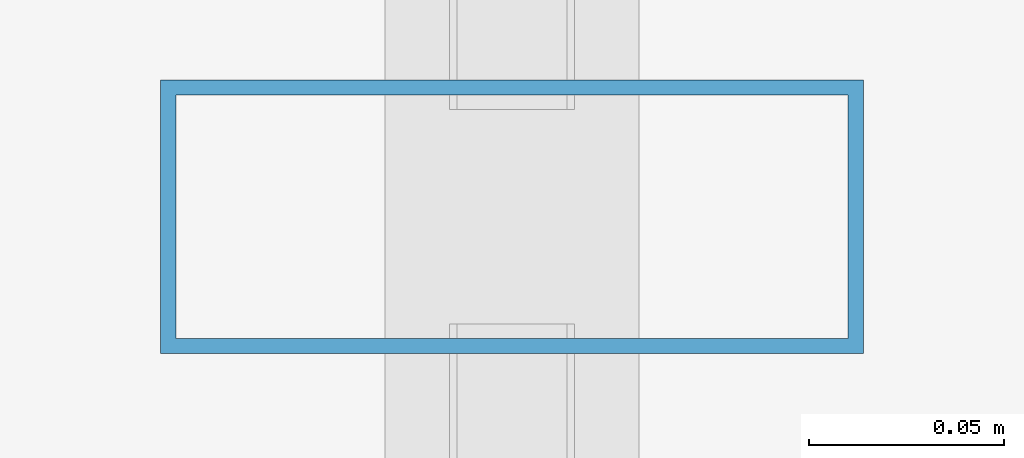
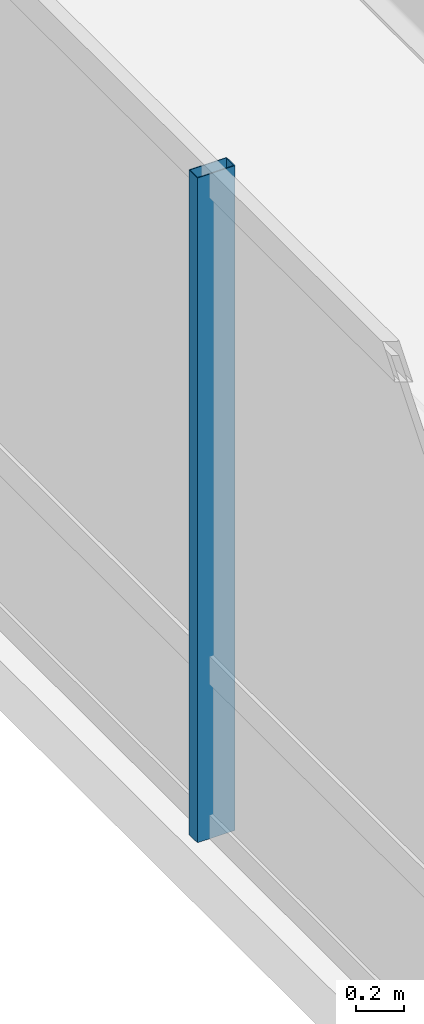
# One storey, part 13 of 29: 1 member, 1 element without a shape of its own.
"""IFC4 building model written with IfcOpenShell, lengths in metres."""

from ifc_helpers import new_model, si_unit, direction, frame, origin, origin_2d, place, context, subcontext, project, spatial, hollow_rectangle, extrude, material, layer, layer_set, material_profile, profile_set, type_object, element, aggregate, save


model = new_model("IFC4")

# Units and contexts
model_context = context("Model", 3, precision=1e-05, world=origin(), true_north=direction((0.0, 1.0)))
body_context = subcontext(model_context, "Body", "Model", "MODEL_VIEW")
ifc_project = project(units=[si_unit("LENGTHUNIT", "METRE"), si_unit("AREAUNIT", "SQUARE_METRE"), si_unit("VOLUMEUNIT", "CUBIC_METRE"), si_unit("PLANEANGLEUNIT", "RADIAN"), si_unit("MASSUNIT", "GRAM", prefix="KILO")], contexts=[model_context])

# Site, building, storey
site_placement = place(None, origin())
site = spatial("IfcSite", under=ifc_project, at=site_placement, CompositionType="ELEMENT")
building_placement = place(site_placement, origin())
building = spatial("IfcBuilding", under=site, at=building_placement, Name="Hatsunagi Terrace Concourse", CompositionType="ELEMENT")
storey_placement = place(building_placement, frame((0.0, 0.0, 115.64990234375)))
storey = spatial("IfcBuildingStorey", under=building, at=storey_placement, Name="L30", CompositionType="ELEMENT", Elevation=115.64990234375)

# Curtain wall, member
ifc_material_1 = material(Name="Anodised Aluminium Alloy 6063-T5", Category="aluminium")
ifc_layer = layer(ifc_material_1, 0.199951171875)
ifc_layer_set = layer_set([ifc_layer], Name="OfficeZone1_CW03")
curtain_wall_type = type_object("IfcCurtainWallType", Name="OfficeZone1_CW03", PredefinedType="NOTDEFINED", material=ifc_layer_set)
curtain_wall_placement = place(storey_placement, origin())
curtain_wall = element("IfcCurtainWall", 1, at=curtain_wall_placement, inside=storey, type_object=curtain_wall_type, Name="Unitised Curtain Wall CW-03 CW-L30-09", PredefinedType="NOTDEFINED")
ifc_material_2 = material(Name="Anodised Aluminium Alloy 6063-T5", Category="aluminium")
ifc_material_profile = material_profile(ifc_material_2, hollow_rectangle(XDim=0.070068359375, YDim=0.179931640625, WallThickness=0.00390625, at=origin_2d()), Name="ALU-MUL-180x70x4")
ifc_profile_set = profile_set([ifc_material_profile], Name="Anodised Aluminium Alloy 6063-T5")
member_type = type_object("IfcMemberType", Name="CurtainWallMullion_180x70", PredefinedType="MULLION", material=ifc_profile_set)
member_placement = place(storey_placement, frame((9.739990234375, 36.89990234375, 0.0), z_axis=(0.0, 0.0, 1.0), x_axis=(0.0, 1.0, 0.0)))
member = element("IfcMember", 2, at=member_placement, type_object=member_type, Name="Curtain Wall Mullion MUL-02", PredefinedType="MULLION", context=body_context, shape_type="SweptSolid", body=[
    extrude(hollow_rectangle(XDim=0.070068359375, YDim=0.179931640625, WallThickness=0.00390625, at=origin_2d()), origin(), (0.0, 0.0, 1.0), 3.35009765625),
])
aggregate(curtain_wall, [member])

save(model, "model.ifc")
